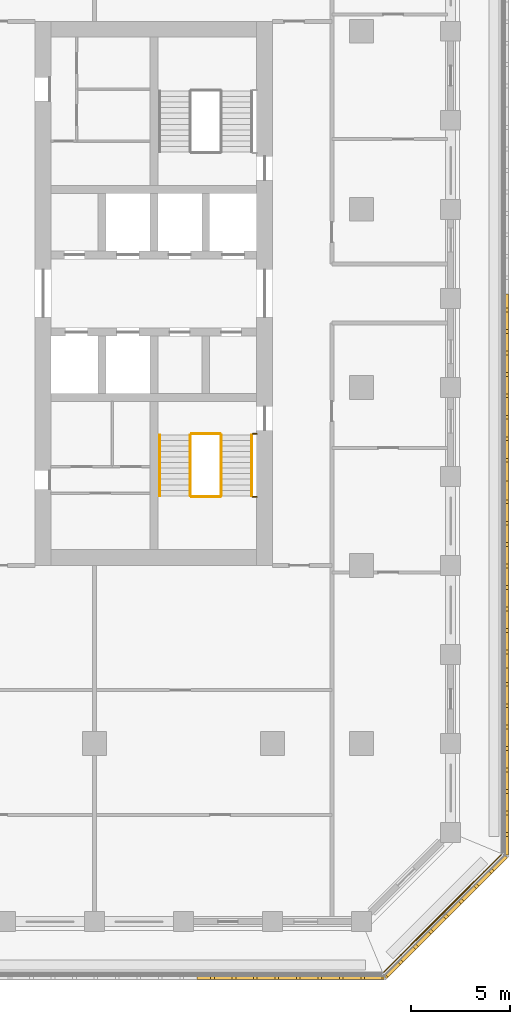
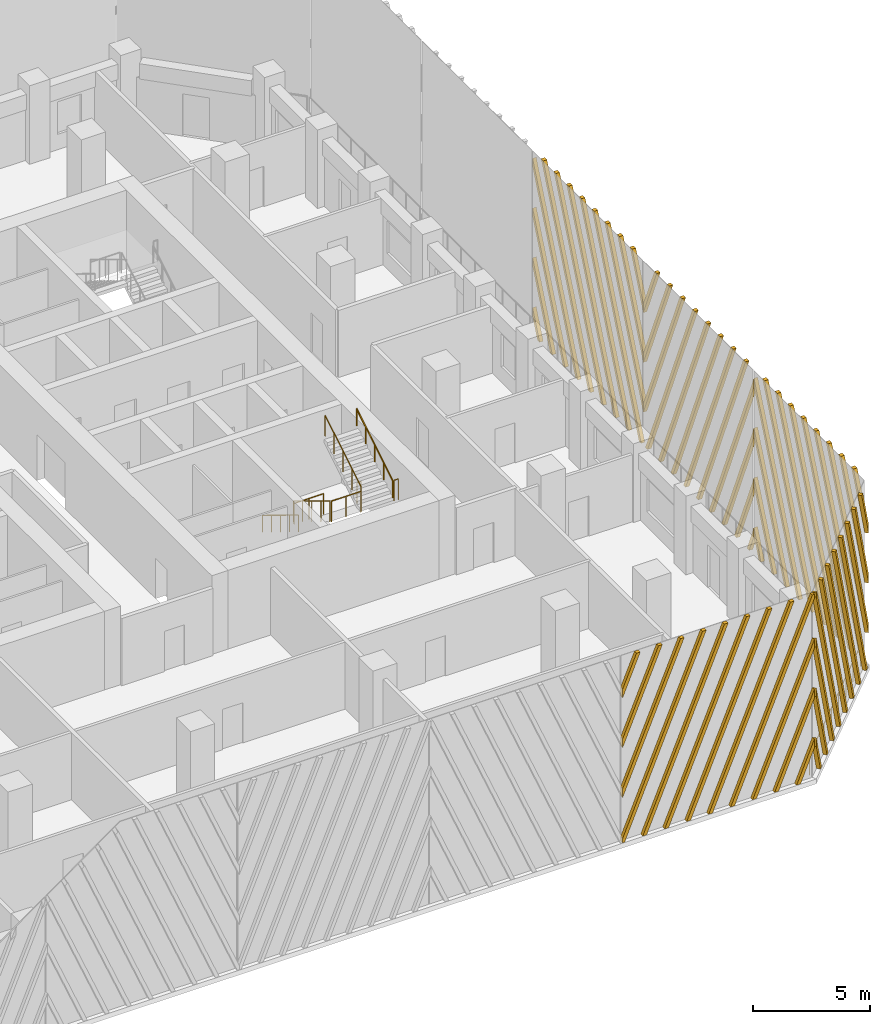
# One storey, part 13 of 18: 9 railings, 5 shading devices.
"""IFC4 building model written with IfcOpenShell, lengths in metres."""

from ifc_helpers import new_model, si_unit, direction, frame, origin, origin_2d, place, context, subcontext, project, spatial, polyline, circle, outline, extrude, source, transform, mapped, material, type_object, element, save


model = new_model("IFC4")

# Units and contexts
model_context = context("Model", 3, precision=1e-05, world=origin(), true_north=direction((0.0, 1.0)))
body_context = subcontext(model_context, "Body", "Model", "MODEL_VIEW")
ifc_project = project(units=[si_unit("LENGTHUNIT", "METRE"), si_unit("AREAUNIT", "SQUARE_METRE"), si_unit("VOLUMEUNIT", "CUBIC_METRE"), si_unit("PLANEANGLEUNIT", "RADIAN"), si_unit("MASSUNIT", "GRAM", prefix="KILO")], contexts=[model_context])

# Site, building, storey
site_placement = place(None, origin())
site = spatial("IfcSite", under=ifc_project, at=site_placement, CompositionType="ELEMENT")
building_placement = place(site_placement, origin())
building = spatial("IfcBuilding", under=site, at=building_placement, Name="Corbel Stack Research Tower", CompositionType="ELEMENT")
storey_placement = place(building_placement, frame((0.0, 0.0, 181.39990234375)))
storey = spatial("IfcBuildingStorey", under=building, at=storey_placement, Name="L41", CompositionType="ELEMENT", Elevation=181.39990234375)

# Railings
ifc_material_1 = material(Name="Steel S355", Category="steel")
railing_type_1 = type_object("IfcRailingType", Name="Stair guard 1100", PredefinedType="GUARDRAIL", material=ifc_material_1)
railing_1_placement = place(storey_placement, frame((13.85009765625, -2.39990234375, 0.1708984375)))
element("IfcRailing", 1, at=railing_1_placement, inside=storey, type_object=railing_type_1, Name="L41 ST-E1 stair guard 1", PredefinedType="GUARDRAIL", context=body_context, shape_type="SweptSolid", body=[
    extrude(circle(Radius=0.02392578125, at=origin_2d()), frame((0.0, 0.0, 1.076171875), z_axis=(0.0, -0.853666305674, 0.52082035152), x_axis=(1.0, 0.0, 0.0)), (0.0, 0.0, 1.0), 3.608154296875),
    extrude(circle(Radius=0.02099609375, at=origin_2d()), origin(), (0.0, 0.0, 1.0), 1.052001953125),
    extrude(circle(Radius=0.02099609375, at=origin_2d()), frame((0.0, -0.77001953125, 0.4697265625)), (0.0, 0.0, 1.0), 1.052001953125),
    extrude(circle(Radius=0.02099609375, at=origin_2d()), frame((0.0, -1.5400390625, 0.939453125)), (0.0, 0.0, 1.0), 1.052001953125),
    extrude(circle(Radius=0.02099609375, at=origin_2d()), frame((0.0, -2.31005859375, 1.409423828125)), (0.0, 0.0, 1.0), 1.052001953125),
    extrude(circle(Radius=0.02099609375, at=origin_2d()), frame((0.0, -3.080078125, 1.879150390625)), (0.0, 0.0, 1.0), 1.052001953125),
])
railing_2_placement = place(storey_placement, frame((13.89990234375, -5.530029296875, 2.050048828125)))
element("IfcRailing", 2, at=railing_2_placement, inside=storey, type_object=railing_type_1, Name="L41 ST-E1 stair guard 2", PredefinedType="GUARDRAIL", context=body_context, shape_type="SweptSolid", body=[
    extrude(circle(Radius=0.02392578125, at=origin_2d()), frame((0.0, 0.0, 1.076171875), z_axis=(1.0, 0.0, 0.0), x_axis=(0.0, 1.0, 0.0)), (0.0, 0.0, 1.0), 1.4501953125),
    extrude(circle(Radius=0.02099609375, at=origin_2d()), origin(), (0.0, 0.0, 1.0), 1.052001953125),
    extrude(circle(Radius=0.02099609375, at=origin_2d()), frame((0.72509765625, 0.0, 0.0)), (0.0, 0.0, 1.0), 1.052001953125),
    extrude(circle(Radius=0.02099609375, at=origin_2d()), frame((1.4501953125, 0.0, 0.0)), (0.0, 0.0, 1.0), 1.052001953125),
])
railing_3_placement = place(storey_placement, frame((17.0, -5.530029296875, 2.050048828125)))
element("IfcRailing", 3, at=railing_3_placement, inside=storey, type_object=railing_type_1, Name="L41 ST-E1 stair guard 3", PredefinedType="GUARDRAIL", context=body_context, shape_type="SweptSolid", body=[
    extrude(circle(Radius=0.02392578125, at=origin_2d()), frame((0.0, 0.0, 1.076171875), z_axis=(1.0, 0.0, 0.0), x_axis=(0.0, 1.0, 0.0)), (0.0, 0.0, 1.0), 0.199951171875),
    extrude(circle(Radius=0.02099609375, at=origin_2d()), origin(), (0.0, 0.0, 1.0), 1.052001953125),
    extrude(circle(Radius=0.02099609375, at=origin_2d()), frame((0.199951171875, 0.0, 0.0)), (0.0, 0.0, 1.0), 1.052001953125),
])
railing_4_placement = place(storey_placement, frame((15.39990234375, -5.47998046875, 2.220947265625)))
element("IfcRailing", 4, at=railing_4_placement, inside=storey, type_object=railing_type_1, Name="L41 ST-E1 stair guard 4", PredefinedType="GUARDRAIL", context=body_context, shape_type="SweptSolid", body=[
    extrude(circle(Radius=0.02392578125, at=origin_2d()), frame((0.0, 0.0, 1.076171875), z_axis=(0.0, 0.853666305674, 0.52082035152), x_axis=(-1.0, 0.0, 0.0)), (0.0, 0.0, 1.0), 3.608154296875),
    extrude(circle(Radius=0.02099609375, at=origin_2d()), origin(), (0.0, 0.0, 1.0), 1.052001953125),
    extrude(circle(Radius=0.02099609375, at=origin_2d()), frame((0.0, 0.77001953125, 0.4697265625)), (0.0, 0.0, 1.0), 1.052001953125),
    extrude(circle(Radius=0.02099609375, at=origin_2d()), frame((0.0, 1.5400390625, 0.939453125)), (0.0, 0.0, 1.0), 1.052001953125),
    extrude(circle(Radius=0.02099609375, at=origin_2d()), frame((0.0, 2.31005859375, 1.409423828125)), (0.0, 0.0, 1.0), 1.052001953125),
    extrude(circle(Radius=0.02099609375, at=origin_2d()), frame((0.0, 3.080078125, 1.879150390625)), (0.0, 0.0, 1.0), 1.052001953125),
])
railing_5_placement = place(storey_placement, frame((13.89990234375, -2.35009765625, 0.0)))
element("IfcRailing", 5, at=railing_5_placement, inside=storey, type_object=railing_type_1, Name="L41 ST-E1 stair guard 5", PredefinedType="GUARDRAIL", context=body_context, shape_type="SweptSolid", body=[
    extrude(circle(Radius=0.02392578125, at=origin_2d()), frame((0.0, 0.0, 1.076171875), z_axis=(1.0, 0.0, 0.0), x_axis=(0.0, 1.0, 0.0)), (0.0, 0.0, 1.0), 1.4501953125),
    extrude(circle(Radius=0.02099609375, at=origin_2d()), origin(), (0.0, 0.0, 1.0), 1.052001953125),
    extrude(circle(Radius=0.02099609375, at=origin_2d()), frame((0.72509765625, 0.0, 0.0)), (0.0, 0.0, 1.0), 1.052001953125),
    extrude(circle(Radius=0.02099609375, at=origin_2d()), frame((1.4501953125, 0.0, 0.0)), (0.0, 0.0, 1.0), 1.052001953125),
])
railing_6_placement = place(storey_placement, frame((17.0, -2.35009765625, 0.0)))
element("IfcRailing", 6, at=railing_6_placement, inside=storey, type_object=railing_type_1, Name="L41 ST-E1 stair guard 6", PredefinedType="GUARDRAIL", context=body_context, shape_type="SweptSolid", body=[
    extrude(circle(Radius=0.02392578125, at=origin_2d()), frame((0.0, 0.0, 1.076171875), z_axis=(1.0, 0.0, 0.0), x_axis=(0.0, 1.0, 0.0)), (0.0, 0.0, 1.0), 0.199951171875),
    extrude(circle(Radius=0.02099609375, at=origin_2d()), origin(), (0.0, 0.0, 1.0), 1.052001953125),
    extrude(circle(Radius=0.02099609375, at=origin_2d()), frame((0.199951171875, 0.0, 0.0)), (0.0, 0.0, 1.0), 1.052001953125),
])
ifc_material_2 = material(Name="Steel S355", Category="steel")
railing_type_2 = type_object("IfcRailingType", Name="Stair handrail 900", PredefinedType="HANDRAIL", material=ifc_material_2)
railing_7_placement = place(storey_placement, frame((12.300048828125, -2.39990234375, 0.1708984375)))
element("IfcRailing", 7, at=railing_7_placement, inside=storey, type_object=railing_type_2, Name="L41 ST-E1 stair handrail 1", PredefinedType="HANDRAIL", context=body_context, shape_type="SweptSolid", body=[
    extrude(circle(Radius=0.02392578125, at=origin_2d()), frame((0.0, 0.0, 0.8759765625), z_axis=(0.0, -0.853666305674, 0.52082035152), x_axis=(1.0, 0.0, 0.0)), (0.0, 0.0, 1.0), 3.608154296875),
    extrude(circle(Radius=0.02099609375, at=origin_2d()), origin(), (0.0, 0.0, 1.0), 0.851806640625),
    extrude(circle(Radius=0.02099609375, at=origin_2d()), frame((0.0, -0.77001953125, 0.4697265625)), (0.0, 0.0, 1.0), 0.851806640625),
    extrude(circle(Radius=0.02099609375, at=origin_2d()), frame((0.0, -1.5400390625, 0.939453125)), (0.0, 0.0, 1.0), 0.851806640625),
    extrude(circle(Radius=0.02099609375, at=origin_2d()), frame((0.0, -2.31005859375, 1.409423828125)), (0.0, 0.0, 1.0), 0.851806640625),
    extrude(circle(Radius=0.02099609375, at=origin_2d()), frame((0.0, -3.080078125, 1.879150390625)), (0.0, 0.0, 1.0), 0.851806640625),
])
railing_8_placement = place(storey_placement, frame((16.949951171875, -5.47998046875, 2.220947265625)))
element("IfcRailing", 8, at=railing_8_placement, inside=storey, type_object=railing_type_2, Name="L41 ST-E1 stair handrail 2", PredefinedType="HANDRAIL", context=body_context, shape_type="SweptSolid", body=[
    extrude(circle(Radius=0.02392578125, at=origin_2d()), frame((0.0, 0.0, 0.8759765625), z_axis=(0.0, 0.853666305674, 0.52082035152), x_axis=(-1.0, 0.0, 0.0)), (0.0, 0.0, 1.0), 3.608154296875),
    extrude(circle(Radius=0.02099609375, at=origin_2d()), origin(), (0.0, 0.0, 1.0), 0.851806640625),
    extrude(circle(Radius=0.02099609375, at=origin_2d()), frame((0.0, 0.77001953125, 0.4697265625)), (0.0, 0.0, 1.0), 0.851806640625),
    extrude(circle(Radius=0.02099609375, at=origin_2d()), frame((0.0, 1.5400390625, 0.939453125)), (0.0, 0.0, 1.0), 0.851806640625),
    extrude(circle(Radius=0.02099609375, at=origin_2d()), frame((0.0, 2.31005859375, 1.409423828125)), (0.0, 0.0, 1.0), 0.851806640625),
    extrude(circle(Radius=0.02099609375, at=origin_2d()), frame((0.0, 3.080078125, 1.879150390625)), (0.0, 0.0, 1.0), 0.851806640625),
])
ifc_material_3 = material(Name="Powder-coated steel guard", Category="steel")
railing_type_3 = type_object("IfcRailingType", Name="Steel and glass guard 1100", PredefinedType="GUARDRAIL", material=ifc_material_3)
railing_9_placement = place(storey_placement, frame((23.627685546875, -29.54931640625, 0.0)))
element("IfcRailing", 9, at=railing_9_placement, inside=storey, type_object=railing_type_3, Name="Loggia guard L41 SE", PredefinedType="GUARDRAIL", context=body_context, shape_type="SweptSolid", body=[
    extrude(circle(Radius=0.02392578125, at=origin_2d()), frame((0.0, 0.0, 1.076171875), z_axis=(0.707106781187, 0.707106781187, 0.0), x_axis=(-0.707106781187, 0.707106781187, 0.0)), (0.0, 0.0, 1.0), 8.37451171875),
    extrude(circle(Radius=0.02099609375, at=origin_2d()), origin(), (0.0, 0.0, 1.0), 1.052001953125),
    extrude(circle(Radius=0.02099609375, at=origin_2d()), frame((0.845947265625, 0.845947265625, 0.0)), (0.0, 0.0, 1.0), 1.052001953125),
    extrude(circle(Radius=0.02099609375, at=origin_2d()), frame((1.69189453125, 1.69189453125, 0.0)), (0.0, 0.0, 1.0), 1.052001953125),
    extrude(circle(Radius=0.02099609375, at=origin_2d()), frame((2.537841796875, 2.537841796875, 0.0)), (0.0, 0.0, 1.0), 1.052001953125),
    extrude(circle(Radius=0.02099609375, at=origin_2d()), frame((3.3837890625, 3.3837890625, 0.0)), (0.0, 0.0, 1.0), 1.052001953125),
    extrude(circle(Radius=0.02099609375, at=origin_2d()), frame((4.229736328125, 4.229736328125, 0.0)), (0.0, 0.0, 1.0), 1.052001953125),
    extrude(circle(Radius=0.02099609375, at=origin_2d()), frame((5.07568359375, 5.07568359375, 0.0)), (0.0, 0.0, 1.0), 1.052001953125),
    extrude(circle(Radius=0.02099609375, at=origin_2d()), frame((5.921630859375, 5.921630859375, 0.0)), (0.0, 0.0, 1.0), 1.052001953125),
])

# Shading devices
ifc_material_4 = material(Name="Precast terracotta", Category="masonry")
shading_device_type = type_object("IfcShadingDeviceType", Name="Terracotta screen panel", PredefinedType="USERDEFINED", material=ifc_material_4)
shared_shape_1 = source(origin(), body_context, "Body", "SweptSolid", [
    extrude(outline(polyline([(0.87109375, 9.64990234375), (0.68115234375, 9.64990234375), (0.0, 8.01904296875), (0.0, 7.564208984375), (0.87109375, 9.64990234375)])), frame((0.0, 0.0, 0.0), z_axis=(0.0, -1.0, 0.0), x_axis=(1.0, 0.0, 0.0)), (0.0, 0.0, 1.0), 0.179931640625),
    extrude(outline(polyline([(1.955810546875, 9.64990234375), (1.765869140625, 9.64990234375), (0.0, 5.421875), (0.0, 4.966796875), (1.955810546875, 9.64990234375)])), frame((0.0, 0.0, 0.0), z_axis=(0.0, -1.0, 0.0), x_axis=(1.0, 0.0, 0.0)), (0.0, 0.0, 1.0), 0.179931640625),
    extrude(outline(polyline([(3.04052734375, 9.64990234375), (2.8505859375, 9.64990234375), (0.0, 2.82470703125), (0.0, 2.36962890625), (3.04052734375, 9.64990234375)])), frame((0.0, 0.0, 0.0), z_axis=(0.0, -1.0, 0.0), x_axis=(1.0, 0.0, 0.0)), (0.0, 0.0, 1.0), 0.179931640625),
    extrude(outline(polyline([(0.094970703125, 0.0), (4.125244140625, 9.64990234375), (3.935302734375, 9.64990234375), (0.0, 0.2275390625), (0.0, 0.0), (0.094970703125, 0.0)])), frame((0.0, 0.0, 0.0), z_axis=(0.0, -1.0, 0.0), x_axis=(1.0, 0.0, 0.0)), (0.0, 0.0, 1.0), 0.179931640625),
    extrude(outline(polyline([(1.1796875, 0.0), (5.209716796875, 9.64990234375), (5.019775390625, 9.64990234375), (0.98974609375, 0.0), (1.1796875, 0.0)])), frame((0.0, 0.0, 0.0), z_axis=(0.0, -1.0, 0.0), x_axis=(1.0, 0.0, 0.0)), (0.0, 0.0, 1.0), 0.179931640625),
    extrude(outline(polyline([(2.264404296875, 0.0), (6.29443359375, 9.64990234375), (6.1044921875, 9.64990234375), (2.07421875, 0.0), (2.264404296875, 0.0)])), frame((0.0, 0.0, 0.0), z_axis=(0.0, -1.0, 0.0), x_axis=(1.0, 0.0, 0.0)), (0.0, 0.0, 1.0), 0.179931640625),
    extrude(outline(polyline([(3.34912109375, 0.0), (7.379150390625, 9.64990234375), (7.189208984375, 9.64990234375), (3.158935546875, 0.0), (3.34912109375, 0.0)])), frame((0.0, 0.0, 0.0), z_axis=(0.0, -1.0, 0.0), x_axis=(1.0, 0.0, 0.0)), (0.0, 0.0, 1.0), 0.179931640625),
    extrude(outline(polyline([(4.43359375, 0.0), (8.4638671875, 9.64990234375), (8.273681640625, 9.64990234375), (4.24365234375, 0.0), (4.43359375, 0.0)])), frame((0.0, 0.0, 0.0), z_axis=(0.0, -1.0, 0.0), x_axis=(1.0, 0.0, 0.0)), (0.0, 0.0, 1.0), 0.179931640625),
    extrude(outline(polyline([(5.518310546875, 0.0), (9.45556640625, 9.427734375), (9.45556640625, 9.64990234375), (9.3583984375, 9.64990234375), (5.328369140625, 0.0), (5.518310546875, 0.0)])), frame((0.0, 0.0, 0.0), z_axis=(0.0, -1.0, 0.0), x_axis=(1.0, 0.0, 0.0)), (0.0, 0.0, 1.0), 0.179931640625),
    extrude(outline(polyline([(6.60302734375, 0.0), (9.45556640625, 6.83056640625), (9.45556640625, 7.285400390625), (6.4130859375, 0.0), (6.60302734375, 0.0)])), frame((0.0, 0.0, 0.0), z_axis=(0.0, -1.0, 0.0), x_axis=(1.0, 0.0, 0.0)), (0.0, 0.0, 1.0), 0.179931640625),
    extrude(outline(polyline([(7.687744140625, 0.0), (9.45556640625, 4.2333984375), (9.45556640625, 4.688232421875), (7.497802734375, 0.0), (7.687744140625, 0.0)])), frame((0.0, 0.0, 0.0), z_axis=(0.0, -1.0, 0.0), x_axis=(1.0, 0.0, 0.0)), (0.0, 0.0, 1.0), 0.179931640625),
    extrude(outline(polyline([(8.772216796875, 0.0), (9.45556640625, 1.635986328125), (9.45556640625, 2.091064453125), (8.582275390625, 0.0), (8.772216796875, 0.0)])), frame((0.0, 0.0, 0.0), z_axis=(0.0, -1.0, 0.0), x_axis=(1.0, 0.0, 0.0)), (0.0, 0.0, 1.0), 0.179931640625),
])
shading_device_1_placement = place(storey_placement, frame((14.18359375, -29.75, 0.0), z_axis=(0.0, 0.0, 1.0), x_axis=(1.0, 0.0, 0.0)))
element("IfcShadingDevice", 10, at=shading_device_1_placement, inside=storey, type_object=shading_device_type, Name="Terracotta screen L41 S5", ObjectType="SCREEN", PredefinedType="USERDEFINED", context=body_context, shape_type="MappedRepresentation", body=[
    mapped(shared_shape_1, transform((0.0, 0.0, 0.0))),
])
shared_shape_2 = source(origin(), body_context, "Body", "SweptSolid", [
    extrude(outline(polyline([(0.873291015625, 0.0), (0.0, 2.091064453125), (0.0, 1.635986328125), (0.683349609375, 0.0), (0.873291015625, 0.0)])), frame((0.0, 0.0, 0.0), z_axis=(0.0, -1.0, 0.0), x_axis=(1.0, 0.0, 0.0)), (0.0, 0.0, 1.0), 0.179931640625),
    extrude(outline(polyline([(1.9580078125, 0.0), (0.0, 4.688232421875), (0.0, 4.2333984375), (1.76806640625, 0.0), (1.9580078125, 0.0)])), frame((0.0, 0.0, 0.0), z_axis=(0.0, -1.0, 0.0), x_axis=(1.0, 0.0, 0.0)), (0.0, 0.0, 1.0), 0.179931640625),
    extrude(outline(polyline([(3.04248046875, 0.0), (0.0, 7.285400390625), (0.0, 6.83056640625), (2.8525390625, 0.0), (3.04248046875, 0.0)])), frame((0.0, 0.0, 0.0), z_axis=(0.0, -1.0, 0.0), x_axis=(1.0, 0.0, 0.0)), (0.0, 0.0, 1.0), 0.179931640625),
    extrude(outline(polyline([(4.127197265625, 0.0), (0.09716796875, 9.64990234375), (0.0, 9.64990234375), (0.0, 9.427734375), (3.937255859375, 0.0), (4.127197265625, 0.0)])), frame((0.0, 0.0, 0.0), z_axis=(0.0, -1.0, 0.0), x_axis=(1.0, 0.0, 0.0)), (0.0, 0.0, 1.0), 0.179931640625),
    extrude(outline(polyline([(5.2119140625, 0.0), (1.181884765625, 9.64990234375), (0.99169921875, 9.64990234375), (5.02197265625, 0.0), (5.2119140625, 0.0)])), frame((0.0, 0.0, 0.0), z_axis=(0.0, -1.0, 0.0), x_axis=(1.0, 0.0, 0.0)), (0.0, 0.0, 1.0), 0.179931640625),
    extrude(outline(polyline([(6.296630859375, 0.0), (2.2666015625, 9.64990234375), (2.076416015625, 9.64990234375), (6.106689453125, 0.0), (6.296630859375, 0.0)])), frame((0.0, 0.0, 0.0), z_axis=(0.0, -1.0, 0.0), x_axis=(1.0, 0.0, 0.0)), (0.0, 0.0, 1.0), 0.179931640625),
    extrude(outline(polyline([(7.38134765625, 0.0), (3.351318359375, 9.64990234375), (3.1611328125, 9.64990234375), (7.19140625, 0.0), (7.38134765625, 0.0)])), frame((0.0, 0.0, 0.0), z_axis=(0.0, -1.0, 0.0), x_axis=(1.0, 0.0, 0.0)), (0.0, 0.0, 1.0), 0.179931640625),
    extrude(outline(polyline([(8.466064453125, 0.0), (4.435791015625, 9.64990234375), (4.245849609375, 9.64990234375), (8.27587890625, 0.0), (8.466064453125, 0.0)])), frame((0.0, 0.0, 0.0), z_axis=(0.0, -1.0, 0.0), x_axis=(1.0, 0.0, 0.0)), (0.0, 0.0, 1.0), 0.179931640625),
    extrude(outline(polyline([(5.5205078125, 9.64990234375), (5.33056640625, 9.64990234375), (8.64208984375, 1.720458984375), (8.64208984375, 2.17529296875), (5.5205078125, 9.64990234375)])), frame((0.0, 0.0, 0.0), z_axis=(0.0, -1.0, 0.0), x_axis=(1.0, 0.0, 0.0)), (0.0, 0.0, 1.0), 0.179931640625),
    extrude(outline(polyline([(6.60498046875, 9.64990234375), (6.4150390625, 9.64990234375), (8.64208984375, 4.317626953125), (8.64208984375, 4.7724609375), (6.60498046875, 9.64990234375)])), frame((0.0, 0.0, 0.0), z_axis=(0.0, -1.0, 0.0), x_axis=(1.0, 0.0, 0.0)), (0.0, 0.0, 1.0), 0.179931640625),
    extrude(outline(polyline([(7.689697265625, 9.64990234375), (7.499755859375, 9.64990234375), (8.64208984375, 6.914794921875), (8.64208984375, 7.36962890625), (7.689697265625, 9.64990234375)])), frame((0.0, 0.0, 0.0), z_axis=(0.0, -1.0, 0.0), x_axis=(1.0, 0.0, 0.0)), (0.0, 0.0, 1.0), 0.179931640625),
])
shading_device_2_placement = place(storey_placement, frame((23.63916015625, -29.75, 0.0), z_axis=(0.0, 0.0, 1.0), x_axis=(0.707106781187, 0.707106781187, 0.0)))
element("IfcShadingDevice", 11, at=shading_device_2_placement, inside=storey, type_object=shading_device_type, Name="Terracotta screen L41 SE1", ObjectType="SCREEN", PredefinedType="USERDEFINED", context=body_context, shape_type="MappedRepresentation", body=[
    mapped(shared_shape_2, transform((0.0, 0.0, 0.0))),
])
shared_shape_3 = source(origin(), body_context, "Body", "SweptSolid", [
    extrude(outline(polyline([(1.142333984375, 9.64990234375), (0.952392578125, 9.64990234375), (0.0, 7.36962890625), (0.0, 6.914794921875), (1.142333984375, 9.64990234375)])), frame((0.0, 0.0, 0.0), z_axis=(0.0, -1.0, 0.0), x_axis=(1.0, 0.0, 0.0)), (0.0, 0.0, 1.0), 0.179931640625),
    extrude(outline(polyline([(2.22705078125, 9.64990234375), (2.037109375, 9.64990234375), (0.0, 4.7724609375), (0.0, 4.317626953125), (2.22705078125, 9.64990234375)])), frame((0.0, 0.0, 0.0), z_axis=(0.0, -1.0, 0.0), x_axis=(1.0, 0.0, 0.0)), (0.0, 0.0, 1.0), 0.179931640625),
    extrude(outline(polyline([(3.311767578125, 9.64990234375), (3.12158203125, 9.64990234375), (0.0, 2.17529296875), (0.0, 1.720458984375), (3.311767578125, 9.64990234375)])), frame((0.0, 0.0, 0.0), z_axis=(0.0, -1.0, 0.0), x_axis=(1.0, 0.0, 0.0)), (0.0, 0.0, 1.0), 0.179931640625),
    extrude(outline(polyline([(0.3662109375, 0.0), (4.396240234375, 9.64990234375), (4.206298828125, 9.64990234375), (0.17626953125, 0.0), (0.3662109375, 0.0)])), frame((0.0, 0.0, 0.0), z_axis=(0.0, -1.0, 0.0), x_axis=(1.0, 0.0, 0.0)), (0.0, 0.0, 1.0), 0.179931640625),
    extrude(outline(polyline([(1.45068359375, 0.0), (5.48095703125, 9.64990234375), (5.291015625, 9.64990234375), (1.2607421875, 0.0), (1.45068359375, 0.0)])), frame((0.0, 0.0, 0.0), z_axis=(0.0, -1.0, 0.0), x_axis=(1.0, 0.0, 0.0)), (0.0, 0.0, 1.0), 0.179931640625),
    extrude(outline(polyline([(2.535400390625, 0.0), (6.565673828125, 9.64990234375), (6.375732421875, 9.64990234375), (2.345458984375, 0.0), (2.535400390625, 0.0)])), frame((0.0, 0.0, 0.0), z_axis=(0.0, -1.0, 0.0), x_axis=(1.0, 0.0, 0.0)), (0.0, 0.0, 1.0), 0.179931640625),
    extrude(outline(polyline([(3.6201171875, 0.0), (7.650390625, 9.64990234375), (7.460205078125, 9.64990234375), (3.43017578125, 0.0), (3.6201171875, 0.0)])), frame((0.0, 0.0, 0.0), z_axis=(0.0, -1.0, 0.0), x_axis=(1.0, 0.0, 0.0)), (0.0, 0.0, 1.0), 0.179931640625),
    extrude(outline(polyline([(4.704833984375, 0.0), (8.735107421875, 9.64990234375), (8.544921875, 9.64990234375), (4.514892578125, 0.0), (4.704833984375, 0.0)])), frame((0.0, 0.0, 0.0), z_axis=(0.0, -1.0, 0.0), x_axis=(1.0, 0.0, 0.0)), (0.0, 0.0, 1.0), 0.179931640625),
    extrude(outline(polyline([(5.78955078125, 0.0), (9.45556640625, 8.7783203125), (9.45556640625, 9.2333984375), (5.599609375, 0.0), (5.78955078125, 0.0)])), frame((0.0, 0.0, 0.0), z_axis=(0.0, -1.0, 0.0), x_axis=(1.0, 0.0, 0.0)), (0.0, 0.0, 1.0), 0.179931640625),
    extrude(outline(polyline([(6.874267578125, 0.0), (9.45556640625, 6.18115234375), (9.45556640625, 6.63623046875), (6.68408203125, 0.0), (6.874267578125, 0.0)])), frame((0.0, 0.0, 0.0), z_axis=(0.0, -1.0, 0.0), x_axis=(1.0, 0.0, 0.0)), (0.0, 0.0, 1.0), 0.179931640625),
    extrude(outline(polyline([(7.958740234375, 0.0), (9.45556640625, 3.583984375), (9.45556640625, 4.0390625), (7.768798828125, 0.0), (7.958740234375, 0.0)])), frame((0.0, 0.0, 0.0), z_axis=(0.0, -1.0, 0.0), x_axis=(1.0, 0.0, 0.0)), (0.0, 0.0, 1.0), 0.179931640625),
    extrude(outline(polyline([(9.04345703125, 0.0), (9.45556640625, 0.98681640625), (9.45556640625, 1.44189453125), (8.853515625, 0.0), (9.04345703125, 0.0)])), frame((0.0, 0.0, 0.0), z_axis=(0.0, -1.0, 0.0), x_axis=(1.0, 0.0, 0.0)), (0.0, 0.0, 1.0), 0.179931640625),
])
for number, where, z_axis, x_axis, name in (
    (12, (29.75, -23.63916015625, 0.0), (0.0, 0.0, 1.0), (0.0, 1.0, 0.0), "Terracotta screen L41 E1"),
    (13, (29.75, -4.727783203125, 0.0), (0.0, 0.0, 1.0), (0.0, 1.0, 0.0), "Terracotta screen L41 E3"),
):
    element("IfcShadingDevice", number, at=place(storey_placement, frame(where, z_axis=z_axis, x_axis=x_axis)), inside=storey, type_object=shading_device_type, Name=name, ObjectType="SCREEN", PredefinedType="USERDEFINED", context=body_context, shape_type="MappedRepresentation", body=[
        mapped(shared_shape_3, transform((0.0, 0.0, 0.0))),
    ])
shared_shape_4 = source(origin(), body_context, "Body", "SweptSolid", [
    extrude(outline(polyline([(0.60205078125, 0.0), (0.0, 1.44189453125), (0.0, 0.98681640625), (0.412109375, 0.0), (0.60205078125, 0.0)])), frame((0.0, 0.0, 0.0), z_axis=(0.0, -1.0, 0.0), x_axis=(1.0, 0.0, 0.0)), (0.0, 0.0, 1.0), 0.179931640625),
    extrude(outline(polyline([(1.686767578125, 0.0), (0.0, 4.0390625), (0.0, 3.583984375), (1.496826171875, 0.0), (1.686767578125, 0.0)])), frame((0.0, 0.0, 0.0), z_axis=(0.0, -1.0, 0.0), x_axis=(1.0, 0.0, 0.0)), (0.0, 0.0, 1.0), 0.179931640625),
    extrude(outline(polyline([(2.771484375, 0.0), (0.0, 6.63623046875), (0.0, 6.18115234375), (2.58154296875, 0.0), (2.771484375, 0.0)])), frame((0.0, 0.0, 0.0), z_axis=(0.0, -1.0, 0.0), x_axis=(1.0, 0.0, 0.0)), (0.0, 0.0, 1.0), 0.179931640625),
    extrude(outline(polyline([(3.856201171875, 0.0), (0.0, 9.2333984375), (0.0, 8.7783203125), (3.666015625, 0.0), (3.856201171875, 0.0)])), frame((0.0, 0.0, 0.0), z_axis=(0.0, -1.0, 0.0), x_axis=(1.0, 0.0, 0.0)), (0.0, 0.0, 1.0), 0.179931640625),
    extrude(outline(polyline([(4.94091796875, 0.0), (0.91064453125, 9.64990234375), (0.720703125, 9.64990234375), (4.750732421875, 0.0), (4.94091796875, 0.0)])), frame((0.0, 0.0, 0.0), z_axis=(0.0, -1.0, 0.0), x_axis=(1.0, 0.0, 0.0)), (0.0, 0.0, 1.0), 0.179931640625),
    extrude(outline(polyline([(6.025390625, 0.0), (1.995361328125, 9.64990234375), (1.805419921875, 9.64990234375), (5.83544921875, 0.0), (6.025390625, 0.0)])), frame((0.0, 0.0, 0.0), z_axis=(0.0, -1.0, 0.0), x_axis=(1.0, 0.0, 0.0)), (0.0, 0.0, 1.0), 0.179931640625),
    extrude(outline(polyline([(7.110107421875, 0.0), (3.080078125, 9.64990234375), (2.889892578125, 9.64990234375), (6.920166015625, 0.0), (7.110107421875, 0.0)])), frame((0.0, 0.0, 0.0), z_axis=(0.0, -1.0, 0.0), x_axis=(1.0, 0.0, 0.0)), (0.0, 0.0, 1.0), 0.179931640625),
    extrude(outline(polyline([(8.19482421875, 0.0), (4.16455078125, 9.64990234375), (3.974609375, 9.64990234375), (8.0048828125, 0.0), (8.19482421875, 0.0)])), frame((0.0, 0.0, 0.0), z_axis=(0.0, -1.0, 0.0), x_axis=(1.0, 0.0, 0.0)), (0.0, 0.0, 1.0), 0.179931640625),
    extrude(outline(polyline([(9.279541015625, 0.0), (5.249267578125, 9.64990234375), (5.059326171875, 9.64990234375), (9.089599609375, 0.0), (9.279541015625, 0.0)])), frame((0.0, 0.0, 0.0), z_axis=(0.0, -1.0, 0.0), x_axis=(1.0, 0.0, 0.0)), (0.0, 0.0, 1.0), 0.179931640625),
    extrude(outline(polyline([(6.333984375, 9.64990234375), (6.14404296875, 9.64990234375), (9.45556640625, 1.720458984375), (9.45556640625, 2.17529296875), (6.333984375, 9.64990234375)])), frame((0.0, 0.0, 0.0), z_axis=(0.0, -1.0, 0.0), x_axis=(1.0, 0.0, 0.0)), (0.0, 0.0, 1.0), 0.179931640625),
    extrude(outline(polyline([(7.418701171875, 9.64990234375), (7.228515625, 9.64990234375), (9.45556640625, 4.317626953125), (9.45556640625, 4.7724609375), (7.418701171875, 9.64990234375)])), frame((0.0, 0.0, 0.0), z_axis=(0.0, -1.0, 0.0), x_axis=(1.0, 0.0, 0.0)), (0.0, 0.0, 1.0), 0.179931640625),
    extrude(outline(polyline([(8.50341796875, 9.64990234375), (8.313232421875, 9.64990234375), (9.45556640625, 6.914794921875), (9.45556640625, 7.36962890625), (8.50341796875, 9.64990234375)])), frame((0.0, 0.0, 0.0), z_axis=(0.0, -1.0, 0.0), x_axis=(1.0, 0.0, 0.0)), (0.0, 0.0, 1.0), 0.179931640625),
])
shading_device_3_placement = place(storey_placement, frame((29.75, -14.18359375, 0.0), z_axis=(0.0, 0.0, 1.0), x_axis=(0.0, 1.0, 0.0)))
element("IfcShadingDevice", 14, at=shading_device_3_placement, inside=storey, type_object=shading_device_type, Name="Terracotta screen L41 E2", ObjectType="SCREEN", PredefinedType="USERDEFINED", context=body_context, shape_type="MappedRepresentation", body=[
    mapped(shared_shape_4, transform((0.0, 0.0, 0.0))),
])

save(model, "model.ifc")
